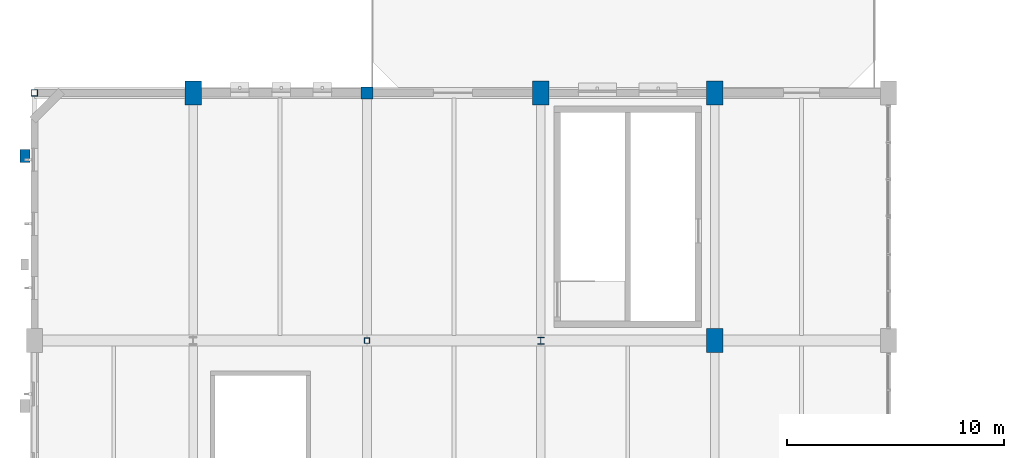
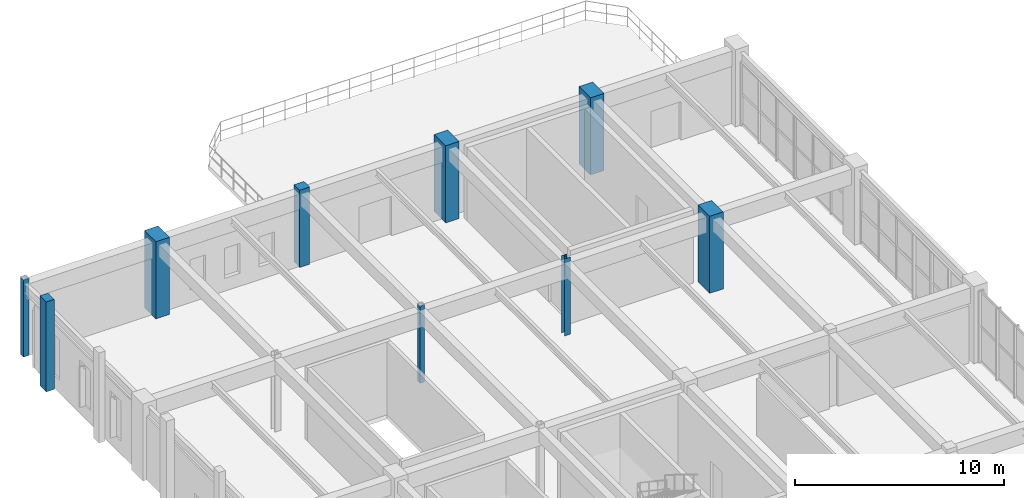
# One storey, part 4 of 48: 9 columns.
"""IFC4 building model written with IfcOpenShell, lengths in metres."""

from ifc_helpers import new_model, si_unit, direction, frame, origin, origin_2d, place, context, subcontext, project, spatial, rectangle, hollow_rectangle, i_section, extrude, material, material_profile, profile_set, type_object, element, save


model = new_model("IFC4")

# Units and contexts
model_context = context("Model", 3, precision=1e-05, world=origin(), true_north=direction((0.0, 1.0)))
body_context = subcontext(model_context, "Body", "Model", "MODEL_VIEW")
ifc_project = project(units=[si_unit("LENGTHUNIT", "METRE"), si_unit("AREAUNIT", "SQUARE_METRE"), si_unit("VOLUMEUNIT", "CUBIC_METRE"), si_unit("PLANEANGLEUNIT", "RADIAN"), si_unit("MASSUNIT", "GRAM", prefix="KILO"), si_unit("POWERUNIT", "WATT"), si_unit("THERMODYNAMICTEMPERATUREUNIT", "KELVIN")], contexts=[model_context])

# Site, building, storey
site_placement = place(None, origin())
site = spatial("IfcSite", under=ifc_project, at=site_placement, CompositionType="ELEMENT")
building_placement = place(site_placement, origin())
building = spatial("IfcBuilding", under=site, at=building_placement, Name="Kelmbourne Parkland Aquatics Centre", CompositionType="ELEMENT")
storey_placement = place(building_placement, frame((0.0, 0.0, 14.699951171875)))
storey = spatial("IfcBuildingStorey", under=building, at=storey_placement, Name="L03", CompositionType="ELEMENT", Elevation=14.699951171875)

# Columns
ifc_material_1 = material(Name="Concrete C40/50", Category="concrete")
ifc_material_profile_1 = material_profile(ifc_material_1, rectangle(XDim=0.75, YDim=1.10009765625, at=origin_2d()), Name="RC 750x1100")
ifc_profile_set_1 = profile_set([ifc_material_profile_1], Name="Concrete C40/50")
column_type_1 = type_object("IfcColumnType", Name="COL-C03", PredefinedType="COLUMN", material=ifc_profile_set_1)
for number, where, z_axis, x_axis, name in (
    (1, (8.0, 46.39990234375, 0.0), (0.0, 0.0, 1.0), (1.0, 0.0, 0.0), "Structural column B-06 (L03)"),
    (2, (24.0, 46.39990234375, 0.0), (0.0, 0.0, 1.0), (1.0, 0.0, 0.0), "Structural column D-06 (L03)"),
    (3, (32.0, 35.0, 0.0), (0.0, 0.0, 1.0), (1.0, 0.0, 0.0), "Structural column E-05 (L03)"),
    (4, (32.0, 46.39990234375, 0.0), (0.0, 0.0, 1.0), (1.0, 0.0, 0.0), "Structural column E-06 (L03)"),
):
    element("IfcColumn", number, at=place(storey_placement, frame(where, z_axis=z_axis, x_axis=x_axis)), inside=storey, type_object=column_type_1, Name=name, PredefinedType="COLUMN", context=body_context, shape_type="SweptSolid", body=[
        extrude(rectangle(XDim=0.75, YDim=1.10009765625, at=origin_2d()), origin(), (0.0, 0.0, 1.0), 4.5),
    ])
ifc_material_profile_2 = material_profile(ifc_material_1, rectangle(XDim=0.550048828125, YDim=0.550048828125, at=origin_2d()), Name="RC 550x550")
ifc_profile_set_2 = profile_set([ifc_material_profile_2], Name="Concrete C40/50")
column_type_2 = type_object("IfcColumnType", Name="COL-C07", PredefinedType="COLUMN", material=ifc_profile_set_2)
column_1_placement = place(storey_placement, frame((16.0, 46.39990234375, 0.0), z_axis=(0.0, 0.0, 1.0), x_axis=(1.0, 0.0, 0.0)))
element("IfcColumn", 5, at=column_1_placement, inside=storey, type_object=column_type_2, Name="Structural column C-06 (L03)", PredefinedType="COLUMN", context=body_context, shape_type="SweptSolid", body=[
    extrude(rectangle(XDim=0.550048828125, YDim=0.550048828125, at=origin_2d()), origin(), (0.0, 0.0, 1.0), 4.5),
])
ifc_material_2 = material(Name="Structural steel AS/NZS 3679.1 Grade 300", Category="steel")
ifc_material_profile_3 = material_profile(ifc_material_2, i_section(OverallWidth=0.306884765625, OverallDepth=0.31494140625, WebThickness=0.011962890625, FlangeThickness=0.018798828125, at=origin_2d()), Name="310UC118")
ifc_profile_set_3 = profile_set([ifc_material_profile_3], Name="Structural steel AS/NZS 3679.1 Grade 300")
column_type_3 = type_object("IfcColumnType", Name="COL-C16", PredefinedType="COLUMN", material=ifc_profile_set_3)
column_2_placement = place(storey_placement, frame((24.0, 35.0, 0.0), z_axis=(0.0, 0.0, 1.0), x_axis=(1.0, 0.0, 0.0)))
element("IfcColumn", 6, at=column_2_placement, inside=storey, type_object=column_type_3, Name="Structural column D-05 (L03)", PredefinedType="COLUMN", context=body_context, shape_type="SweptSolid", body=[
    extrude(i_section(OverallWidth=0.306884765625, OverallDepth=0.31494140625, WebThickness=0.011962890625, FlangeThickness=0.018798828125, at=origin_2d()), origin(), (0.0, 0.0, 1.0), 4.5),
])
ifc_material_3 = material(Name="Cold-formed hollow steel AS/NZS 1163 C350L0", Category="steel")
ifc_material_profile_4 = material_profile(ifc_material_3, hollow_rectangle(XDim=0.300048828125, YDim=0.300048828125, WallThickness=0.012451171875, at=origin_2d()), Name="SHS 300x300x12.5")
ifc_profile_set_4 = profile_set([ifc_material_profile_4], Name="Cold-formed hollow steel AS/NZS 1163 C350L0")
column_type_4 = type_object("IfcColumnType", Name="COL-C22", PredefinedType="COLUMN", material=ifc_profile_set_4)
column_3_placement = place(storey_placement, frame((0.699951171875, 46.39990234375, 0.0), z_axis=(0.0, 0.0, 1.0), x_axis=(1.0, 0.0, 0.0)))
element("IfcColumn", 7, at=column_3_placement, inside=storey, type_object=column_type_4, Name="Structural column A-06 (L03)", PredefinedType="COLUMN", context=body_context, shape_type="SweptSolid", body=[
    extrude(hollow_rectangle(XDim=0.300048828125, YDim=0.300048828125, WallThickness=0.012451171875, at=origin_2d()), origin(), (0.0, 0.0, 1.0), 4.5),
])
ifc_material_profile_5 = material_profile(ifc_material_3, hollow_rectangle(XDim=0.25, YDim=0.25, WallThickness=0.012451171875, at=origin_2d()), Name="SHS 250x250x12.5")
ifc_profile_set_5 = profile_set([ifc_material_profile_5], Name="Cold-formed hollow steel AS/NZS 1163 C350L0")
column_type_5 = type_object("IfcColumnType", Name="COL-C23", PredefinedType="COLUMN", material=ifc_profile_set_5)
column_4_placement = place(storey_placement, frame((16.0, 35.0, 0.0), z_axis=(0.0, 0.0, 1.0), x_axis=(1.0, 0.0, 0.0)))
element("IfcColumn", 8, at=column_4_placement, inside=storey, type_object=column_type_5, Name="Structural column C-05 (L03)", PredefinedType="COLUMN", context=body_context, shape_type="SweptSolid", body=[
    extrude(hollow_rectangle(XDim=0.25, YDim=0.25, WallThickness=0.012451171875, at=origin_2d()), origin(), (0.0, 0.0, 1.0), 4.5),
])
ifc_material_4 = material(Name="Clay brick masonry AS 3700 M12", Category="masonry")
ifc_material_profile_6 = material_profile(ifc_material_4, rectangle(XDim=0.449951171875, YDim=0.60009765625, at=origin_2d()), Name="PIL 450x600")
ifc_profile_set_6 = profile_set([ifc_material_profile_6], Name="Clay brick masonry AS 3700 M12")
column_type_6 = type_object("IfcColumnType", Name="PIL-PL2", PredefinedType="PILASTER", material=ifc_profile_set_6)
column_5_placement = place(storey_placement, frame((0.260009765625, 43.5, 0.0), z_axis=(0.0, 0.0, 1.0), x_axis=(1.0, 0.0, 0.0)))
element("IfcColumn", 9, at=column_5_placement, inside=storey, type_object=column_type_6, Name="Amsterdam School engaged brick buttress W-008 (L03)", PredefinedType="PILASTER", context=body_context, shape_type="SweptSolid", body=[
    extrude(rectangle(XDim=0.449951171875, YDim=0.60009765625, at=origin_2d()), origin(), (0.0, 0.0, 1.0), 5.25),
])

save(model, "model.ifc")
